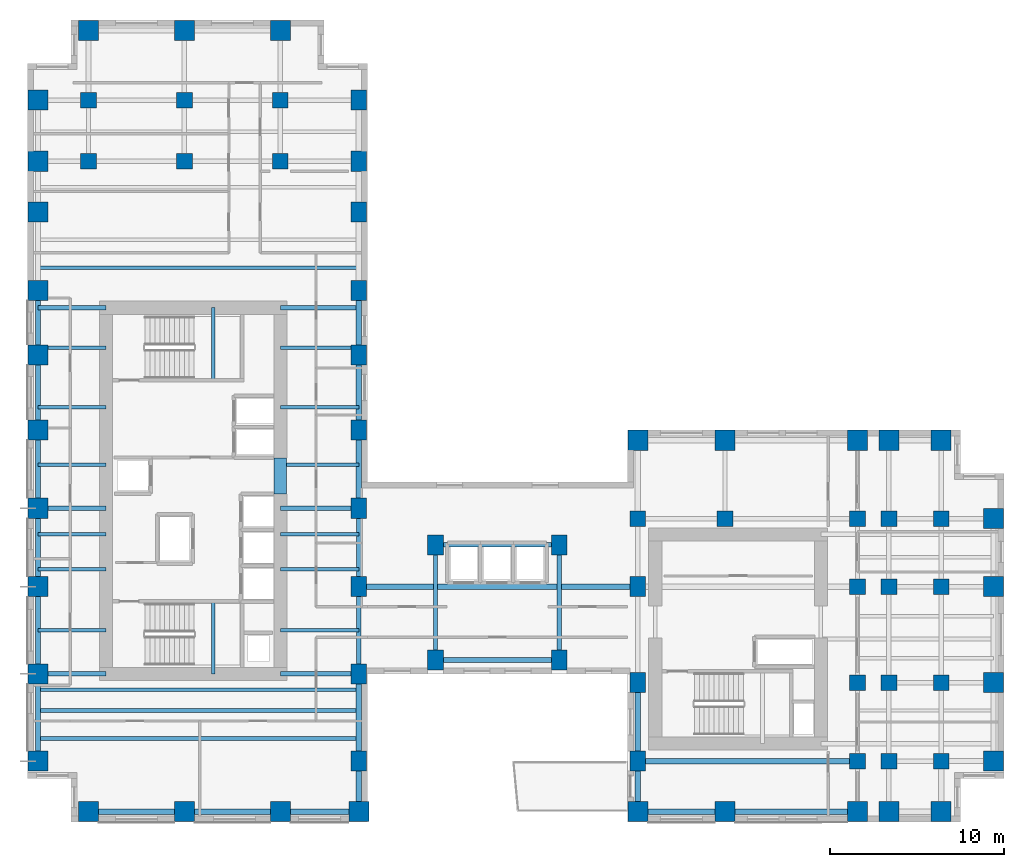
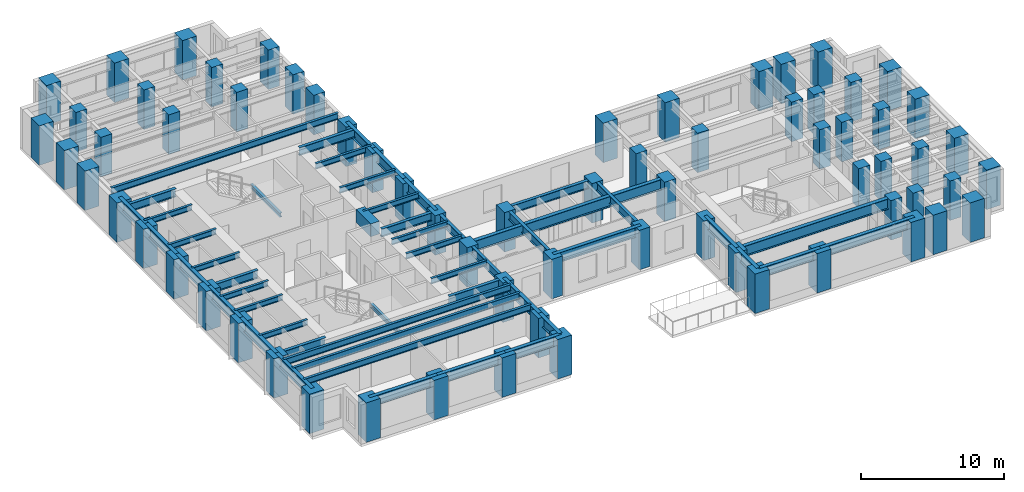
# One storey, part 1 of 12: 68 columns, 51 beams.
"""IFC4 building model written with IfcOpenShell, lengths in metres."""

from ifc_helpers import new_model, si_unit, direction, frame, origin, origin_2d, place, context, subcontext, project, spatial, rectangle, i_section, extrude, source, transform, mapped, material, material_profile, profile_set, type_object, element, save


model = new_model("IFC4")

# Units and contexts
model_context = context("Model", 3, precision=1e-05, world=origin(), true_north=direction((0.0, 1.0)))
body_context = subcontext(model_context, "Body", "Model", "MODEL_VIEW")
ifc_project = project(units=[si_unit("LENGTHUNIT", "METRE"), si_unit("AREAUNIT", "SQUARE_METRE"), si_unit("VOLUMEUNIT", "CUBIC_METRE"), si_unit("PLANEANGLEUNIT", "RADIAN"), si_unit("MASSUNIT", "GRAM", prefix="KILO")], contexts=[model_context])

# Site, building, storey
site_placement = place(None, origin())
site = spatial("IfcSite", under=ifc_project, at=site_placement, CompositionType="ELEMENT")
building_placement = place(site_placement, origin())
building = spatial("IfcBuilding", under=site, at=building_placement, Name="Kharzan Plaza Tower", CompositionType="ELEMENT")
storey_placement = place(building_placement, frame((0.0, 0.0, 91.800048828125)))
storey = spatial("IfcBuildingStorey", under=building, at=storey_placement, Name="L24", CompositionType="ELEMENT", Elevation=91.800048828125)

# Columns
ifc_material_1 = material(Name="Concrete C50/60", Category="concrete")
ifc_material_profile_1 = material_profile(ifc_material_1, rectangle(XDim=0.89990234375, YDim=0.89990234375, at=origin_2d()), Name="RC-IC900x900")
ifc_profile_set_1 = profile_set([ifc_material_profile_1], Name="Concrete C50/60")
column_type_1 = type_object("IfcColumnType", Name="COL-IC900", PredefinedType="COLUMN", material=ifc_profile_set_1)
shared_shape_1 = source(origin(), body_context, "Body", "SweptSolid", [
    extrude(rectangle(XDim=0.89990234375, YDim=0.89990234375, at=origin_2d()), origin(), (0.0, 0.0, 1.0), 3.3798828125),
])
for number, where, z_axis, x_axis, name in (
    (1, (47.60009765625, 13.5, 0.0), (0.0, 0.0, 1.0), (1.0, 0.0, 0.0), "L24 Structural Column TCBI-135"),
    (2, (47.60009765625, 3.5, 0.0), (0.0, 0.0, 1.0), (1.0, 0.0, 0.0), "L24 Structural Column TCBI-35"),
    (3, (47.60009765625, 8.0, 0.0), (0.0, 0.0, 1.0), (1.0, 0.0, 0.0), "L24 Structural Column TCBI-80"),
    (4, (35.0, 17.39990234375, 0.0), (0.0, 0.0, 1.0), (1.0, 0.0, 0.0), "L24 Structural Column TCBN-350-174"),
    (5, (40.0, 17.39990234375, 0.0), (0.0, 0.0, 1.0), (1.0, 0.0, 0.0), "L24 Structural Column TCBN-400-174"),
    (6, (47.60009765625, 17.39990234375, 0.0), (0.0, 0.0, 1.0), (1.0, 0.0, 0.0), "L24 Structural Column TCBN-476-174"),
    (7, (49.39990234375, 13.5, 0.0), (0.0, 0.0, 1.0), (1.0, 0.0, 0.0), "L24 Structural Column TCE-494-135"),
    (8, (49.39990234375, 17.39990234375, 0.0), (0.0, 0.0, 1.0), (1.0, 0.0, 0.0), "L24 Structural Column TCE-494-174"),
    (9, (49.39990234375, 3.5, 0.0), (0.0, 0.0, 1.0), (1.0, 0.0, 0.0), "L24 Structural Column TCE-494-35"),
    (10, (49.39990234375, 8.0, 0.0), (0.0, 0.0, 1.0), (1.0, 0.0, 0.0), "L24 Structural Column TCE-494-80"),
    (11, (52.39990234375, 13.5, 0.0), (0.0, 0.0, 1.0), (1.0, 0.0, 0.0), "L24 Structural Column TCE-524-135"),
    (12, (52.39990234375, 17.39990234375, 0.0), (0.0, 0.0, 1.0), (1.0, 0.0, 0.0), "L24 Structural Column TCE-524-174"),
    (13, (52.39990234375, 3.5, 0.0), (0.0, 0.0, 1.0), (1.0, 0.0, 0.0), "L24 Structural Column TCE-524-35"),
    (14, (52.39990234375, 8.0, 0.0), (0.0, 0.0, 1.0), (1.0, 0.0, 0.0), "L24 Structural Column TCE-524-80"),
    (15, (14.5, 37.89990234375, 0.0), (0.0, 0.0, 1.0), (1.0, 0.0, 0.0), "L24 Structural Column TCN-145-379"),
    (16, (14.5, 41.39990234375, 0.0), (0.0, 0.0, 1.0), (1.0, 0.0, 0.0), "L24 Structural Column TCN-145-414"),
    (17, (3.5, 37.89990234375, 0.0), (0.0, 0.0, 1.0), (1.0, 0.0, 0.0), "L24 Structural Column TCN-35-379"),
    (18, (3.5, 41.39990234375, 0.0), (0.0, 0.0, 1.0), (1.0, 0.0, 0.0), "L24 Structural Column TCN-35-414"),
    (19, (9.0, 37.89990234375, 0.0), (0.0, 0.0, 1.0), (1.0, 0.0, 0.0), "L24 Structural Column TCN-90-379"),
    (20, (9.0, 41.39990234375, 0.0), (0.0, 0.0, 1.0), (1.0, 0.0, 0.0), "L24 Structural Column TCN-90-414"),
):
    element("IfcColumn", number, at=place(storey_placement, frame(where, z_axis=z_axis, x_axis=x_axis)), inside=storey, type_object=column_type_1, Name=name, PredefinedType="COLUMN", context=body_context, shape_type="MappedRepresentation", body=[
        mapped(shared_shape_1, transform((0.0, 0.0, 0.0), x_axis=(1.0, 0.0, 0.0), y_axis=(0.0, 1.0, 0.0), z_axis=(0.0, 0.0, 1.0))),
    ])
ifc_material_2 = material(Name="Concrete C60/75", Category="concrete")
ifc_material_profile_2 = material_profile(ifc_material_2, rectangle(XDim=0.89990234375, YDim=1.14990234375, at=origin_2d()), Name="RC-SC1150x900")
ifc_profile_set_2 = profile_set([ifc_material_profile_2], Name="Concrete C60/75")
column_type_2 = type_object("IfcColumnType", Name="COL-SC1150", PredefinedType="COLUMN", material=ifc_profile_set_2)
shared_shape_2 = source(origin(), body_context, "Body", "SweptSolid", [
    extrude(rectangle(XDim=0.89990234375, YDim=1.14990234375, at=origin_2d()), origin(), (0.0, 0.0, 1.0), 3.3798828125),
])
for number, where, z_axis, x_axis, name in (
    (21, (19.0, 13.5, 0.0), (0.0, 0.0, 1.0), (1.0, 0.0, 0.0), "L24 Structural Column TCA-135"),
    (22, (19.0, 18.0, 0.0), (0.0, 0.0, 1.0), (1.0, 0.0, 0.0), "L24 Structural Column TCA-180"),
    (23, (19.0, 22.5, 0.0), (0.0, 0.0, 1.0), (1.0, 0.0, 0.0), "L24 Structural Column TCA-225"),
    (24, (19.0, 26.800048828125, 0.0), (0.0, 0.0, 1.0), (1.0, 0.0, 0.0), "L24 Structural Column TCA-268"),
    (25, (19.0, 30.5, 0.0), (0.0, 0.0, 1.0), (1.0, 0.0, 0.0), "L24 Structural Column TCA-305"),
    (26, (19.0, 3.5, 0.0), (0.0, 0.0, 1.0), (1.0, 0.0, 0.0), "L24 Structural Column TCA-35"),
    (27, (19.0, 35.0, 0.0), (0.0, 0.0, 1.0), (1.0, 0.0, 0.0), "L24 Structural Column TCA-350"),
    (28, (19.0, 37.89990234375, 0.0), (0.0, 0.0, 1.0), (1.0, 0.0, 0.0), "L24 Structural Column TCA-379"),
    (29, (19.0, 41.39990234375, 0.0), (0.0, 0.0, 1.0), (1.0, 0.0, 0.0), "L24 Structural Column TCA-414"),
    (30, (19.0, 8.5, 0.0), (0.0, 0.0, 1.0), (1.0, 0.0, 0.0), "L24 Structural Column TCA-85"),
    (31, (35.0, 13.5, 0.0), (0.0, 0.0, 1.0), (1.0, 0.0, 0.0), "L24 Structural Column TCBS-135"),
    (32, (35.0, 3.5, 0.0), (0.0, 0.0, 1.0), (1.0, 0.0, 0.0), "L24 Structural Column TCBS-35"),
    (33, (35.0, 8.0, 0.0), (0.0, 0.0, 1.0), (1.0, 0.0, 0.0), "L24 Structural Column TCBS-80"),
    (34, (23.39990234375, 15.89990234375, 0.0), (0.0, 0.0, 1.0), (1.0, 0.0, 0.0), "L24 Structural Column TCSP-234-159"),
    (35, (23.39990234375, 9.300048828125, 0.0), (0.0, 0.0, 1.0), (1.0, 0.0, 0.0), "L24 Structural Column TCSP-234-93"),
    (36, (30.5, 15.89990234375, 0.0), (0.0, 0.0, 1.0), (1.0, 0.0, 0.0), "L24 Structural Column TCSP-305-159"),
    (37, (30.5, 9.300048828125, 0.0), (0.0, 0.0, 1.0), (1.0, 0.0, 0.0), "L24 Structural Column TCSP-305-93"),
):
    element("IfcColumn", number, at=place(storey_placement, frame(where, z_axis=z_axis, x_axis=x_axis)), inside=storey, type_object=column_type_2, Name=name, PredefinedType="COLUMN", context=body_context, shape_type="MappedRepresentation", body=[
        mapped(shared_shape_2, transform((0.0, 0.0, 0.0), x_axis=(1.0, 0.0, 0.0), y_axis=(0.0, 1.0, 0.0), z_axis=(0.0, 0.0, 1.0))),
    ])
ifc_material_profile_3 = material_profile(ifc_material_2, rectangle(XDim=1.14990234375, YDim=1.14990234375, at=origin_2d()), Name="RC-TC1150x1150")
ifc_profile_set_3 = profile_set([ifc_material_profile_3], Name="Concrete C60/75")
column_type_3 = type_object("IfcColumnType", Name="COL-TC1150", PredefinedType="COLUMN", material=ifc_profile_set_3)
shared_shape_3 = source(origin(), body_context, "Body", "SweptSolid", [
    extrude(rectangle(XDim=1.14990234375, YDim=1.14990234375, at=origin_2d()), origin(), (0.0, 0.0, 1.0), 3.3798828125),
])
for number, where, z_axis, x_axis, name in (
    (38, (35.0, 21.89990234375, 0.0), (0.0, 0.0, 1.0), (1.0, 0.0, 0.0), "L24 Structural Column TCBN-350-219"),
    (39, (40.0, 21.89990234375, 0.0), (0.0, 0.0, 1.0), (1.0, 0.0, 0.0), "L24 Structural Column TCBN-400-219"),
    (40, (47.60009765625, 21.89990234375, 0.0), (0.0, 0.0, 1.0), (1.0, 0.0, 0.0), "L24 Structural Column TCBN-476-219"),
    (41, (49.39990234375, 21.89990234375, 0.0), (0.0, 0.0, 1.0), (1.0, 0.0, 0.0), "L24 Structural Column TCBN-494-219"),
    (42, (52.39990234375, 21.89990234375, 0.0), (0.0, 0.0, 1.0), (1.0, 0.0, 0.0), "L24 Structural Column TCBN-524-219"),
    (43, (55.39990234375, 13.5, 0.0), (0.0, 0.0, 1.0), (1.0, 0.0, 0.0), "L24 Structural Column TCE-554-135"),
    (44, (55.39990234375, 17.39990234375, 0.0), (0.0, 0.0, 1.0), (1.0, 0.0, 0.0), "L24 Structural Column TCE-554-174"),
    (45, (55.39990234375, 3.5, 0.0), (0.0, 0.0, 1.0), (1.0, 0.0, 0.0), "L24 Structural Column TCE-554-35"),
    (46, (55.39990234375, 8.0, 0.0), (0.0, 0.0, 1.0), (1.0, 0.0, 0.0), "L24 Structural Column TCE-554-80"),
    (47, (14.5, 45.39990234375, 0.0), (0.0, 0.0, 1.0), (1.0, 0.0, 0.0), "L24 Structural Column TCN-145-454"),
    (48, (3.5, 45.39990234375, 0.0), (0.0, 0.0, 1.0), (1.0, 0.0, 0.0), "L24 Structural Column TCN-35-454"),
    (49, (9.0, 45.39990234375, 0.0), (0.0, 0.0, 1.0), (1.0, 0.0, 0.0), "L24 Structural Column TCN-90-454"),
    (50, (14.5, 0.60009765625, 0.0), (0.0, 0.0, 1.0), (1.0, 0.0, 0.0), "L24 Structural Column TCS-145"),
    (51, (19.0, 0.60009765625, 0.0), (0.0, 0.0, 1.0), (1.0, 0.0, 0.0), "L24 Structural Column TCS-190"),
    (52, (3.5, 0.60009765625, 0.0), (0.0, 0.0, 1.0), (1.0, 0.0, 0.0), "L24 Structural Column TCS-35"),
    (53, (35.0, 0.60009765625, 0.0), (0.0, 0.0, 1.0), (1.0, 0.0, 0.0), "L24 Structural Column TCS-350"),
    (54, (40.0, 0.60009765625, 0.0), (0.0, 0.0, 1.0), (1.0, 0.0, 0.0), "L24 Structural Column TCS-400"),
    (55, (47.60009765625, 0.60009765625, 0.0), (0.0, 0.0, 1.0), (1.0, 0.0, 0.0), "L24 Structural Column TCS-476"),
    (56, (49.39990234375, 0.60009765625, 0.0), (0.0, 0.0, 1.0), (1.0, 0.0, 0.0), "L24 Structural Column TCS-494"),
    (57, (52.39990234375, 0.60009765625, 0.0), (0.0, 0.0, 1.0), (1.0, 0.0, 0.0), "L24 Structural Column TCS-524"),
    (58, (9.0, 0.60009765625, 0.0), (0.0, 0.0, 1.0), (1.0, 0.0, 0.0), "L24 Structural Column TCS-90"),
    (59, (0.60009765625, 13.5, 0.0), (0.0, 0.0, 1.0), (1.0, 0.0, 0.0), "L24 Structural Column TCW-135"),
    (60, (0.60009765625, 18.0, 0.0), (0.0, 0.0, 1.0), (1.0, 0.0, 0.0), "L24 Structural Column TCW-180"),
    (61, (0.60009765625, 22.5, 0.0), (0.0, 0.0, 1.0), (1.0, 0.0, 0.0), "L24 Structural Column TCW-225"),
    (62, (0.60009765625, 26.800048828125, 0.0), (0.0, 0.0, 1.0), (1.0, 0.0, 0.0), "L24 Structural Column TCW-268"),
    (63, (0.60009765625, 30.5, 0.0), (0.0, 0.0, 1.0), (1.0, 0.0, 0.0), "L24 Structural Column TCW-305"),
    (64, (0.60009765625, 3.5, 0.0), (0.0, 0.0, 1.0), (1.0, 0.0, 0.0), "L24 Structural Column TCW-35"),
    (65, (0.60009765625, 35.0, 0.0), (0.0, 0.0, 1.0), (1.0, 0.0, 0.0), "L24 Structural Column TCW-350"),
    (66, (0.60009765625, 37.89990234375, 0.0), (0.0, 0.0, 1.0), (1.0, 0.0, 0.0), "L24 Structural Column TCW-379"),
    (67, (0.60009765625, 41.39990234375, 0.0), (0.0, 0.0, 1.0), (1.0, 0.0, 0.0), "L24 Structural Column TCW-414"),
    (68, (0.60009765625, 8.5, 0.0), (0.0, 0.0, 1.0), (1.0, 0.0, 0.0), "L24 Structural Column TCW-85"),
):
    element("IfcColumn", number, at=place(storey_placement, frame(where, z_axis=z_axis, x_axis=x_axis)), inside=storey, type_object=column_type_3, Name=name, PredefinedType="COLUMN", context=body_context, shape_type="MappedRepresentation", body=[
        mapped(shared_shape_3, transform((0.0, 0.0, 0.0), x_axis=(1.0, 0.0, 0.0), y_axis=(0.0, 1.0, 0.0), z_axis=(0.0, 0.0, 1.0))),
    ])

# Beams
ifc_material_profile_4 = material_profile(ifc_material_2, rectangle(XDim=0.699951171875, YDim=1.10009765625, at=origin_2d()), Name="RC-CB1100x700")
ifc_profile_set_4 = profile_set([ifc_material_profile_4], Name="Concrete C60/75")
beam_type_1 = type_object("IfcBeamType", Name="BM-RCCB1100", PredefinedType="LINTEL", material=ifc_profile_set_4)
shared_shape_4 = source(origin(), body_context, "Body", "SweptSolid", [
    extrude(rectangle(XDim=0.699951171875, YDim=1.10009765625, at=origin_2d()), origin(), (0.0, 0.0, 1.0), 2.059814453125),
])
beam_1_placement = place(storey_placement, frame((14.5, 18.820068359375, 2.829833984375), z_axis=(0.0, 1.0, 0.0), x_axis=(-1.0, 0.0, 0.0)))
element("IfcBeam", 69, at=beam_1_placement, inside=storey, type_object=beam_type_1, Name="L24 CORE-A RC coupling beam CB1", PredefinedType="LINTEL", context=body_context, shape_type="MappedRepresentation", body=[
    mapped(shared_shape_4, transform((0.0, 0.0, 0.0), x_axis=(1.0, 0.0, 0.0), y_axis=(0.0, 1.0, 0.0), z_axis=(0.0, 0.0, 1.0))),
])
ifc_material_3 = material(Name="Steel S355", Category="steel")
ifc_material_profile_5 = material_profile(ifc_material_3, i_section(OverallWidth=0.205078125, OverallDepth=0.35400390625, WebThickness=0.009521484375, FlangeThickness=0.016845703125, at=origin_2d()), Name="W360x79")
ifc_profile_set_5 = profile_set([ifc_material_profile_5], Name="Steel S355")
beam_type_2 = type_object("IfcBeamType", Name="BM-LNT360", PredefinedType="LINTEL", material=ifc_profile_set_5)
shared_shape_5 = source(origin(), body_context, "Body", "SweptSolid", [
    extrude(i_section(OverallWidth=0.205078125, OverallDepth=0.35400390625, WebThickness=0.009521484375, FlangeThickness=0.016845703125, at=origin_2d()), origin(), (0.0, 0.0, 1.0), 4.155029296875),
])
for number, where, z_axis, x_axis, name in (
    (70, (10.64990234375, 8.5, 1.4228515625), (0.0, 1.0, 0.0), (-1.0, 0.0, 0.0), "L24 Stair ST-1 Half-Landing Beam"),
    (71, (10.64990234375, 25.344970703125, 1.4228515625), (0.0, 1.0, 0.0), (-1.0, 0.0, 0.0), "L24 Stair ST-2 Half-Landing Beam"),
):
    element("IfcBeam", number, at=place(storey_placement, frame(where, z_axis=z_axis, x_axis=x_axis)), inside=storey, type_object=beam_type_2, Name=name, PredefinedType="LINTEL", context=body_context, shape_type="MappedRepresentation", body=[
        mapped(shared_shape_5, transform((0.0, 0.0, 0.0), x_axis=(1.0, 0.0, 0.0), y_axis=(0.0, 1.0, 0.0), z_axis=(0.0, 0.0, 1.0))),
    ])
ifc_material_profile_6 = material_profile(ifc_material_3, i_section(OverallWidth=0.304931640625, OverallDepth=0.9189453125, WebThickness=0.017333984375, FlangeThickness=0.02783203125, at=origin_2d()), Name="W920x253")
ifc_profile_set_6 = profile_set([ifc_material_profile_6], Name="Steel S355")
beam_type_3 = type_object("IfcBeamType", Name="BM-FG920B", PredefinedType="BEAM", material=ifc_profile_set_6)
shared_shape_6 = source(origin(), body_context, "Body", "SweptSolid", [
    extrude(i_section(OverallWidth=0.304931640625, OverallDepth=0.9189453125, WebThickness=0.017333984375, FlangeThickness=0.02783203125, at=origin_2d()), origin(), (0.0, 0.0, 1.0), 12.60009765625),
])
beam_2_placement = place(storey_placement, frame((35.0, 3.5, 2.92041015625), z_axis=(1.0, 0.0, 0.0), x_axis=(0.0, 1.0, 0.0)))
element("IfcBeam", 72, at=beam_2_placement, inside=storey, type_object=beam_type_3, Name="L24 Primary Floor Girder", PredefinedType="BEAM", context=body_context, shape_type="MappedRepresentation", body=[
    mapped(shared_shape_6, transform((0.0, 0.0, 0.0), x_axis=(1.0, 0.0, 0.0), y_axis=(0.0, 1.0, 0.0), z_axis=(0.0, 0.0, 1.0))),
])
shared_shape_7 = source(origin(), body_context, "Body", "SweptSolid", [
    extrude(i_section(OverallWidth=0.304931640625, OverallDepth=0.9189453125, WebThickness=0.017333984375, FlangeThickness=0.02783203125, at=origin_2d()), origin(), (0.0, 0.0, 1.0), 16.0),
])
beam_3_placement = place(storey_placement, frame((19.0, 13.5, 2.92041015625), z_axis=(1.0, 0.0, 0.0), x_axis=(0.0, 1.0, 0.0)))
element("IfcBeam", 73, at=beam_3_placement, inside=storey, type_object=beam_type_3, Name="L24 Primary Floor Girder", PredefinedType="BEAM", context=body_context, shape_type="MappedRepresentation", body=[
    mapped(shared_shape_7, transform((0.0, 0.0, 0.0), x_axis=(1.0, 0.0, 0.0), y_axis=(0.0, 1.0, 0.0), z_axis=(0.0, 0.0, 1.0))),
])
ifc_material_profile_7 = material_profile(ifc_material_3, i_section(OverallWidth=0.2099609375, OverallDepth=0.537109375, WebThickness=0.010986328125, FlangeThickness=0.017333984375, at=origin_2d()), Name="W530x101")
ifc_profile_set_7 = profile_set([ifc_material_profile_7], Name="Steel S355")
beam_type_4 = type_object("IfcBeamType", Name="BM-JST530B", PredefinedType="JOIST", material=ifc_profile_set_7)
shared_shape_8 = source(origin(), body_context, "Body", "SweptSolid", [
    extrude(i_section(OverallWidth=0.2099609375, OverallDepth=0.537109375, WebThickness=0.010986328125, FlangeThickness=0.017333984375, at=origin_2d()), origin(), (0.0, 0.0, 1.0), 18.39990234375),
])
for number, where, z_axis, x_axis, name in (
    (74, (0.60009765625, 4.800048828125, 3.111572265625), (1.0, 0.0, 0.0), (0.0, 1.0, 0.0), "L24 Wing A Composite Joist 01"),
    (75, (0.60009765625, 6.39990234375, 3.111572265625), (1.0, 0.0, 0.0), (0.0, 1.0, 0.0), "L24 Wing A Composite Joist 02"),
    (76, (0.60009765625, 7.60009765625, 3.111572265625), (1.0, 0.0, 0.0), (0.0, 1.0, 0.0), "L24 Wing A Composite Joist 03"),
    (77, (0.60009765625, 31.800048828125, 3.111572265625), (1.0, 0.0, 0.0), (0.0, 1.0, 0.0), "L24 Wing A Composite Joist 04"),
):
    element("IfcBeam", number, at=place(storey_placement, frame(where, z_axis=z_axis, x_axis=x_axis)), inside=storey, type_object=beam_type_4, Name=name, PredefinedType="JOIST", context=body_context, shape_type="MappedRepresentation", body=[
        mapped(shared_shape_8, transform((0.0, 0.0, 0.0), x_axis=(1.0, 0.0, 0.0), y_axis=(0.0, 1.0, 0.0), z_axis=(0.0, 0.0, 1.0))),
    ])
ifc_material_profile_8 = material_profile(ifc_material_3, i_section(OverallWidth=0.194091796875, OverallDepth=0.468994140625, WebThickness=0.011474609375, FlangeThickness=0.0205078125, at=origin_2d()), Name="W460x106")
ifc_profile_set_8 = profile_set([ifc_material_profile_8], Name="Steel S355")
beam_type_5 = type_object("IfcBeamType", Name="BM-JST460", PredefinedType="JOIST", material=ifc_profile_set_8)
shared_shape_9 = source(origin(), body_context, "Body", "SweptSolid", [
    extrude(i_section(OverallWidth=0.194091796875, OverallDepth=0.468994140625, WebThickness=0.011474609375, FlangeThickness=0.0205078125, at=origin_2d()), origin(), (0.0, 0.0, 1.0), 4.5),
])
for number, where, z_axis, x_axis, name in (
    (78, (14.5, 11.0, 3.1455078125), (1.0, 0.0, 0.0), (0.0, 1.0, 0.0), "L24 Wing A East Infill Joist 1"),
    (79, (14.5, 14.5, 3.1455078125), (1.0, 0.0, 0.0), (0.0, 1.0, 0.0), "L24 Wing A East Infill Joist 2"),
    (80, (14.5, 16.5, 3.1455078125), (1.0, 0.0, 0.0), (0.0, 1.0, 0.0), "L24 Wing A East Infill Joist 3"),
    (81, (14.5, 20.5, 3.1455078125), (1.0, 0.0, 0.0), (0.0, 1.0, 0.0), "L24 Wing A East Infill Joist 4"),
    (82, (14.5, 23.800048828125, 3.1455078125), (1.0, 0.0, 0.0), (0.0, 1.0, 0.0), "L24 Wing A East Infill Joist 5"),
    (83, (14.5, 27.199951171875, 3.1455078125), (1.0, 0.0, 0.0), (0.0, 1.0, 0.0), "L24 Wing A East Infill Joist 6"),
):
    element("IfcBeam", number, at=place(storey_placement, frame(where, z_axis=z_axis, x_axis=x_axis)), inside=storey, type_object=beam_type_5, Name=name, PredefinedType="JOIST", context=body_context, shape_type="MappedRepresentation", body=[
        mapped(shared_shape_9, transform((0.0, 0.0, 0.0), x_axis=(1.0, 0.0, 0.0), y_axis=(0.0, 1.0, 0.0), z_axis=(0.0, 0.0, 1.0))),
    ])
shared_shape_10 = source(origin(), body_context, "Body", "SweptSolid", [
    extrude(i_section(OverallWidth=0.194091796875, OverallDepth=0.468994140625, WebThickness=0.011474609375, FlangeThickness=0.0205078125, at=origin_2d()), origin(), (0.0, 0.0, 1.0), 3.89990234375),
])
for number, where, z_axis, x_axis, name in (
    (84, (0.60009765625, 11.0, 3.1455078125), (1.0, 0.0, 0.0), (0.0, 1.0, 0.0), "L24 Wing A West Infill Joist 1"),
    (85, (0.60009765625, 14.5, 3.1455078125), (1.0, 0.0, 0.0), (0.0, 1.0, 0.0), "L24 Wing A West Infill Joist 2"),
    (86, (0.60009765625, 16.5, 3.1455078125), (1.0, 0.0, 0.0), (0.0, 1.0, 0.0), "L24 Wing A West Infill Joist 3"),
    (87, (0.60009765625, 20.5, 3.1455078125), (1.0, 0.0, 0.0), (0.0, 1.0, 0.0), "L24 Wing A West Infill Joist 4"),
    (88, (0.60009765625, 23.800048828125, 3.1455078125), (1.0, 0.0, 0.0), (0.0, 1.0, 0.0), "L24 Wing A West Infill Joist 5"),
    (89, (0.60009765625, 27.199951171875, 3.1455078125), (1.0, 0.0, 0.0), (0.0, 1.0, 0.0), "L24 Wing A West Infill Joist 6"),
):
    element("IfcBeam", number, at=place(storey_placement, frame(where, z_axis=z_axis, x_axis=x_axis)), inside=storey, type_object=beam_type_5, Name=name, PredefinedType="JOIST", context=body_context, shape_type="MappedRepresentation", body=[
        mapped(shared_shape_10, transform((0.0, 0.0, 0.0), x_axis=(1.0, 0.0, 0.0), y_axis=(0.0, 1.0, 0.0), z_axis=(0.0, 0.0, 1.0))),
    ])
ifc_material_profile_9 = material_profile(ifc_material_3, i_section(OverallWidth=0.25390625, OverallDepth=0.68798828125, WebThickness=0.01318359375, FlangeThickness=0.02099609375, at=origin_2d()), Name="W690x152")
ifc_profile_set_9 = profile_set([ifc_material_profile_9], Name="Steel S355")
beam_type_6 = type_object("IfcBeamType", Name="BM-FG690B", PredefinedType="BEAM", material=ifc_profile_set_9)
shared_shape_11 = source(origin(), body_context, "Body", "SweptSolid", [
    extrude(i_section(OverallWidth=0.25390625, OverallDepth=0.68798828125, WebThickness=0.01318359375, FlangeThickness=0.02099609375, at=origin_2d()), origin(), (0.0, 0.0, 1.0), 4.5),
])
for number, where, z_axis, x_axis, name in (
    (90, (14.5, 8.5, 3.035888671875), (1.0, 0.0, 0.0), (0.0, 1.0, 0.0), "L24 Core-A East Floor Girder 1"),
    (91, (14.5, 18.0, 3.035888671875), (1.0, 0.0, 0.0), (0.0, 1.0, 0.0), "L24 Core-A East Floor Girder 2"),
    (92, (14.5, 29.5, 3.035888671875), (1.0, 0.0, 0.0), (0.0, 1.0, 0.0), "L24 Core-A East Floor Girder 3"),
    (93, (19.0, 13.5, 3.035888671875), (0.0, 1.0, 0.0), (-1.0, 0.0, 0.0), "L24 Interior Frame Girder"),
):
    element("IfcBeam", number, at=place(storey_placement, frame(where, z_axis=z_axis, x_axis=x_axis)), inside=storey, type_object=beam_type_6, Name=name, PredefinedType="BEAM", context=body_context, shape_type="MappedRepresentation", body=[
        mapped(shared_shape_11, transform((0.0, 0.0, 0.0), x_axis=(1.0, 0.0, 0.0), y_axis=(0.0, 1.0, 0.0), z_axis=(0.0, 0.0, 1.0))),
    ])
shared_shape_12 = source(origin(), body_context, "Body", "SweptSolid", [
    extrude(i_section(OverallWidth=0.25390625, OverallDepth=0.68798828125, WebThickness=0.01318359375, FlangeThickness=0.02099609375, at=origin_2d()), origin(), (0.0, 0.0, 1.0), 3.89990234375),
])
for number, where, z_axis, x_axis, name in (
    (94, (0.60009765625, 8.5, 3.035888671875), (1.0, 0.0, 0.0), (0.0, 1.0, 0.0), "L24 Core-A West Floor Girder 1"),
    (95, (0.60009765625, 18.0, 3.035888671875), (1.0, 0.0, 0.0), (0.0, 1.0, 0.0), "L24 Core-A West Floor Girder 2"),
    (96, (0.60009765625, 29.5, 3.035888671875), (1.0, 0.0, 0.0), (0.0, 1.0, 0.0), "L24 Core-A West Floor Girder 3"),
):
    element("IfcBeam", number, at=place(storey_placement, frame(where, z_axis=z_axis, x_axis=x_axis)), inside=storey, type_object=beam_type_6, Name=name, PredefinedType="BEAM", context=body_context, shape_type="MappedRepresentation", body=[
        mapped(shared_shape_12, transform((0.0, 0.0, 0.0), x_axis=(1.0, 0.0, 0.0), y_axis=(0.0, 1.0, 0.0), z_axis=(0.0, 0.0, 1.0))),
    ])
shared_shape_13 = source(origin(), body_context, "Body", "SweptSolid", [
    extrude(i_section(OverallWidth=0.25390625, OverallDepth=0.68798828125, WebThickness=0.01318359375, FlangeThickness=0.02099609375, at=origin_2d()), origin(), (0.0, 0.0, 1.0), 5.0),
])
beam_4_placement = place(storey_placement, frame((19.0, 8.5, 3.035888671875), z_axis=(0.0, 1.0, 0.0), x_axis=(-1.0, 0.0, 0.0)))
element("IfcBeam", 97, at=beam_4_placement, inside=storey, type_object=beam_type_6, Name="L24 Interior Frame Girder", PredefinedType="BEAM", context=body_context, shape_type="MappedRepresentation", body=[
    mapped(shared_shape_13, transform((0.0, 0.0, 0.0), x_axis=(1.0, 0.0, 0.0), y_axis=(0.0, 1.0, 0.0), z_axis=(0.0, 0.0, 1.0))),
])
shared_shape_14 = source(origin(), body_context, "Body", "SweptSolid", [
    extrude(i_section(OverallWidth=0.25390625, OverallDepth=0.68798828125, WebThickness=0.01318359375, FlangeThickness=0.02099609375, at=origin_2d()), origin(), (0.0, 0.0, 1.0), 6.599853515625),
])
for number, where, z_axis, x_axis, name in (
    (98, (23.39990234375, 9.300048828125, 3.035888671875), (0.0, 1.0, 0.0), (-1.0, 0.0, 0.0), "L24 Interior Frame Girder"),
    (99, (30.5, 9.300048828125, 3.035888671875), (0.0, 1.0, 0.0), (-1.0, 0.0, 0.0), "L24 Interior Frame Girder"),
):
    element("IfcBeam", number, at=place(storey_placement, frame(where, z_axis=z_axis, x_axis=x_axis)), inside=storey, type_object=beam_type_6, Name=name, PredefinedType="BEAM", context=body_context, shape_type="MappedRepresentation", body=[
        mapped(shared_shape_14, transform((0.0, 0.0, 0.0), x_axis=(1.0, 0.0, 0.0), y_axis=(0.0, 1.0, 0.0), z_axis=(0.0, 0.0, 1.0))),
    ])
shared_shape_15 = source(origin(), body_context, "Body", "SweptSolid", [
    extrude(i_section(OverallWidth=0.25390625, OverallDepth=0.68798828125, WebThickness=0.01318359375, FlangeThickness=0.02099609375, at=origin_2d()), origin(), (0.0, 0.0, 1.0), 7.10009765625),
])
beam_5_placement = place(storey_placement, frame((23.39990234375, 15.89990234375, 3.035888671875), z_axis=(1.0, 0.0, 0.0), x_axis=(0.0, 1.0, 0.0)))
element("IfcBeam", 100, at=beam_5_placement, inside=storey, type_object=beam_type_6, Name="L24 Primary Floor Girder", PredefinedType="BEAM", context=body_context, shape_type="MappedRepresentation", body=[
    mapped(shared_shape_15, transform((0.0, 0.0, 0.0), x_axis=(1.0, 0.0, 0.0), y_axis=(0.0, 1.0, 0.0), z_axis=(0.0, 0.0, 1.0))),
])
ifc_material_profile_10 = material_profile(ifc_material_3, i_section(OverallWidth=0.299072265625, OverallDepth=0.845947265625, WebThickness=0.015380859375, FlangeThickness=0.0244140625, at=origin_2d()), Name="W840x210")
ifc_profile_set_10 = profile_set([ifc_material_profile_10], Name="Steel S355")
beam_type_7 = type_object("IfcBeamType", Name="BM-SP840B", PredefinedType="SPANDREL", material=ifc_profile_set_10)
shared_shape_16 = source(origin(), body_context, "Body", "SweptSolid", [
    extrude(i_section(OverallWidth=0.299072265625, OverallDepth=0.845947265625, WebThickness=0.015380859375, FlangeThickness=0.0244140625, at=origin_2d()), origin(), (0.0, 0.0, 1.0), 5.0),
])
for number, where, z_axis, x_axis, name in (
    (101, (0.60009765625, 3.5, 2.95703125), (0.0, 1.0, 0.0), (-1.0, 0.0, 0.0), "L24 Perimeter Tube Spandrel"),
    (102, (0.60009765625, 8.5, 2.95703125), (0.0, 1.0, 0.0), (-1.0, 0.0, 0.0), "L24 Perimeter Tube Spandrel"),
    (103, (19.0, 3.5, 2.95703125), (0.0, 1.0, 0.0), (-1.0, 0.0, 0.0), "L24 Perimeter Tube Spandrel"),
    (104, (35.0, 0.60009765625, 2.95703125), (1.0, 0.0, 0.0), (0.0, 1.0, 0.0), "L24 Perimeter Tube Spandrel"),
):
    element("IfcBeam", number, at=place(storey_placement, frame(where, z_axis=z_axis, x_axis=x_axis)), inside=storey, type_object=beam_type_7, Name=name, PredefinedType="SPANDREL", context=body_context, shape_type="MappedRepresentation", body=[
        mapped(shared_shape_16, transform((0.0, 0.0, 0.0), x_axis=(1.0, 0.0, 0.0), y_axis=(0.0, 1.0, 0.0), z_axis=(0.0, 0.0, 1.0))),
    ])
shared_shape_17 = source(origin(), body_context, "Body", "SweptSolid", [
    extrude(i_section(OverallWidth=0.299072265625, OverallDepth=0.845947265625, WebThickness=0.015380859375, FlangeThickness=0.0244140625, at=origin_2d()), origin(), (0.0, 0.0, 1.0), 4.5),
])
for number, where, z_axis, x_axis, name in (
    (105, (0.60009765625, 13.5, 2.95703125), (0.0, 1.0, 0.0), (-1.0, 0.0, 0.0), "L24 Perimeter Tube Spandrel"),
    (106, (0.60009765625, 18.0, 2.95703125), (0.0, 1.0, 0.0), (-1.0, 0.0, 0.0), "L24 Perimeter Tube Spandrel"),
    (107, (19.0, 18.0, 2.95703125), (0.0, 1.0, 0.0), (-1.0, 0.0, 0.0), "L24 Perimeter Tube Spandrel"),
    (108, (35.0, 3.5, 2.95703125), (0.0, 1.0, 0.0), (-1.0, 0.0, 0.0), "L24 Perimeter Tube Spandrel"),
    (109, (14.5, 0.60009765625, 2.95703125), (1.0, 0.0, 0.0), (0.0, 1.0, 0.0), "L24 Perimeter Tube Spandrel"),
):
    element("IfcBeam", number, at=place(storey_placement, frame(where, z_axis=z_axis, x_axis=x_axis)), inside=storey, type_object=beam_type_7, Name=name, PredefinedType="SPANDREL", context=body_context, shape_type="MappedRepresentation", body=[
        mapped(shared_shape_17, transform((0.0, 0.0, 0.0), x_axis=(1.0, 0.0, 0.0), y_axis=(0.0, 1.0, 0.0), z_axis=(0.0, 0.0, 1.0))),
    ])
shared_shape_18 = source(origin(), body_context, "Body", "SweptSolid", [
    extrude(i_section(OverallWidth=0.299072265625, OverallDepth=0.845947265625, WebThickness=0.015380859375, FlangeThickness=0.0244140625, at=origin_2d()), origin(), (0.0, 0.0, 1.0), 4.300048828125),
])
for number, where, z_axis, x_axis, name in (
    (110, (0.60009765625, 22.5, 2.95703125), (0.0, 1.0, 0.0), (-1.0, 0.0, 0.0), "L24 Perimeter Tube Spandrel"),
    (111, (19.0, 22.5, 2.95703125), (0.0, 1.0, 0.0), (-1.0, 0.0, 0.0), "L24 Perimeter Tube Spandrel"),
):
    element("IfcBeam", number, at=place(storey_placement, frame(where, z_axis=z_axis, x_axis=x_axis)), inside=storey, type_object=beam_type_7, Name=name, PredefinedType="SPANDREL", context=body_context, shape_type="MappedRepresentation", body=[
        mapped(shared_shape_18, transform((0.0, 0.0, 0.0), x_axis=(1.0, 0.0, 0.0), y_axis=(0.0, 1.0, 0.0), z_axis=(0.0, 0.0, 1.0))),
    ])
shared_shape_19 = source(origin(), body_context, "Body", "SweptSolid", [
    extrude(i_section(OverallWidth=0.299072265625, OverallDepth=0.845947265625, WebThickness=0.015380859375, FlangeThickness=0.0244140625, at=origin_2d()), origin(), (0.0, 0.0, 1.0), 3.699951171875),
])
for number, where, z_axis, x_axis, name in (
    (112, (0.60009765625, 26.800048828125, 2.95703125), (0.0, 1.0, 0.0), (-1.0, 0.0, 0.0), "L24 Perimeter Tube Spandrel"),
    (113, (19.0, 26.800048828125, 2.95703125), (0.0, 1.0, 0.0), (-1.0, 0.0, 0.0), "L24 Perimeter Tube Spandrel"),
):
    element("IfcBeam", number, at=place(storey_placement, frame(where, z_axis=z_axis, x_axis=x_axis)), inside=storey, type_object=beam_type_7, Name=name, PredefinedType="SPANDREL", context=body_context, shape_type="MappedRepresentation", body=[
        mapped(shared_shape_19, transform((0.0, 0.0, 0.0), x_axis=(1.0, 0.0, 0.0), y_axis=(0.0, 1.0, 0.0), z_axis=(0.0, 0.0, 1.0))),
    ])
shared_shape_20 = source(origin(), body_context, "Body", "SweptSolid", [
    extrude(i_section(OverallWidth=0.299072265625, OverallDepth=0.845947265625, WebThickness=0.015380859375, FlangeThickness=0.0244140625, at=origin_2d()), origin(), (0.0, 0.0, 1.0), 2.89990234375),
])
for number, where, z_axis, x_axis, name in (
    (114, (19.0, 0.60009765625, 2.95703125), (0.0, 1.0, 0.0), (-1.0, 0.0, 0.0), "L24 Perimeter Tube Spandrel"),
    (115, (35.0, 0.60009765625, 2.95703125), (0.0, 1.0, 0.0), (-1.0, 0.0, 0.0), "L24 Perimeter Tube Spandrel"),
):
    element("IfcBeam", number, at=place(storey_placement, frame(where, z_axis=z_axis, x_axis=x_axis)), inside=storey, type_object=beam_type_7, Name=name, PredefinedType="SPANDREL", context=body_context, shape_type="MappedRepresentation", body=[
        mapped(shared_shape_20, transform((0.0, 0.0, 0.0), x_axis=(1.0, 0.0, 0.0), y_axis=(0.0, 1.0, 0.0), z_axis=(0.0, 0.0, 1.0))),
    ])
shared_shape_21 = source(origin(), body_context, "Body", "SweptSolid", [
    extrude(i_section(OverallWidth=0.299072265625, OverallDepth=0.845947265625, WebThickness=0.015380859375, FlangeThickness=0.0244140625, at=origin_2d()), origin(), (0.0, 0.0, 1.0), 5.5),
])
for number, where, z_axis, x_axis, name in (
    (116, (3.5, 0.60009765625, 2.95703125), (1.0, 0.0, 0.0), (0.0, 1.0, 0.0), "L24 Perimeter Tube Spandrel"),
    (117, (9.0, 0.60009765625, 2.95703125), (1.0, 0.0, 0.0), (0.0, 1.0, 0.0), "L24 Perimeter Tube Spandrel"),
):
    element("IfcBeam", number, at=place(storey_placement, frame(where, z_axis=z_axis, x_axis=x_axis)), inside=storey, type_object=beam_type_7, Name=name, PredefinedType="SPANDREL", context=body_context, shape_type="MappedRepresentation", body=[
        mapped(shared_shape_21, transform((0.0, 0.0, 0.0), x_axis=(1.0, 0.0, 0.0), y_axis=(0.0, 1.0, 0.0), z_axis=(0.0, 0.0, 1.0))),
    ])
shared_shape_22 = source(origin(), body_context, "Body", "SweptSolid", [
    extrude(i_section(OverallWidth=0.299072265625, OverallDepth=0.845947265625, WebThickness=0.015380859375, FlangeThickness=0.0244140625, at=origin_2d()), origin(), (0.0, 0.0, 1.0), 7.60009765625),
])
beam_6_placement = place(storey_placement, frame((40.0, 0.60009765625, 2.95703125), z_axis=(1.0, 0.0, 0.0), x_axis=(0.0, 1.0, 0.0)))
element("IfcBeam", 118, at=beam_6_placement, inside=storey, type_object=beam_type_7, Name="L24 Perimeter Tube Spandrel", PredefinedType="SPANDREL", context=body_context, shape_type="MappedRepresentation", body=[
    mapped(shared_shape_22, transform((0.0, 0.0, 0.0), x_axis=(1.0, 0.0, 0.0), y_axis=(0.0, 1.0, 0.0), z_axis=(0.0, 0.0, 1.0))),
])
shared_shape_23 = source(origin(), body_context, "Body", "SweptSolid", [
    extrude(i_section(OverallWidth=0.299072265625, OverallDepth=0.845947265625, WebThickness=0.015380859375, FlangeThickness=0.0244140625, at=origin_2d()), origin(), (0.0, 0.0, 1.0), 7.10009765625),
])
beam_7_placement = place(storey_placement, frame((23.39990234375, 9.300048828125, 2.95703125), z_axis=(1.0, 0.0, 0.0), x_axis=(0.0, 1.0, 0.0)))
element("IfcBeam", 119, at=beam_7_placement, inside=storey, type_object=beam_type_7, Name="L24 Perimeter Tube Spandrel", PredefinedType="SPANDREL", context=body_context, shape_type="MappedRepresentation", body=[
    mapped(shared_shape_23, transform((0.0, 0.0, 0.0), x_axis=(1.0, 0.0, 0.0), y_axis=(0.0, 1.0, 0.0), z_axis=(0.0, 0.0, 1.0))),
])

save(model, "model.ifc")
